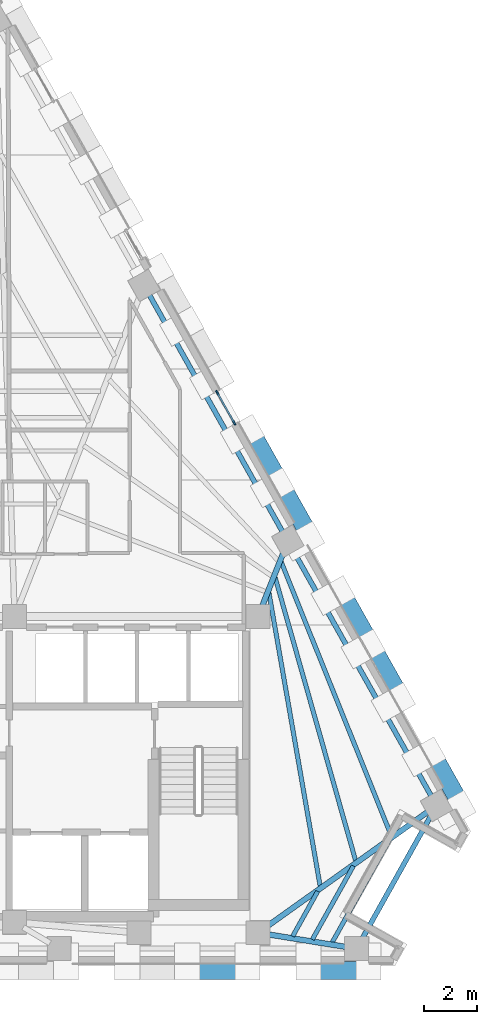
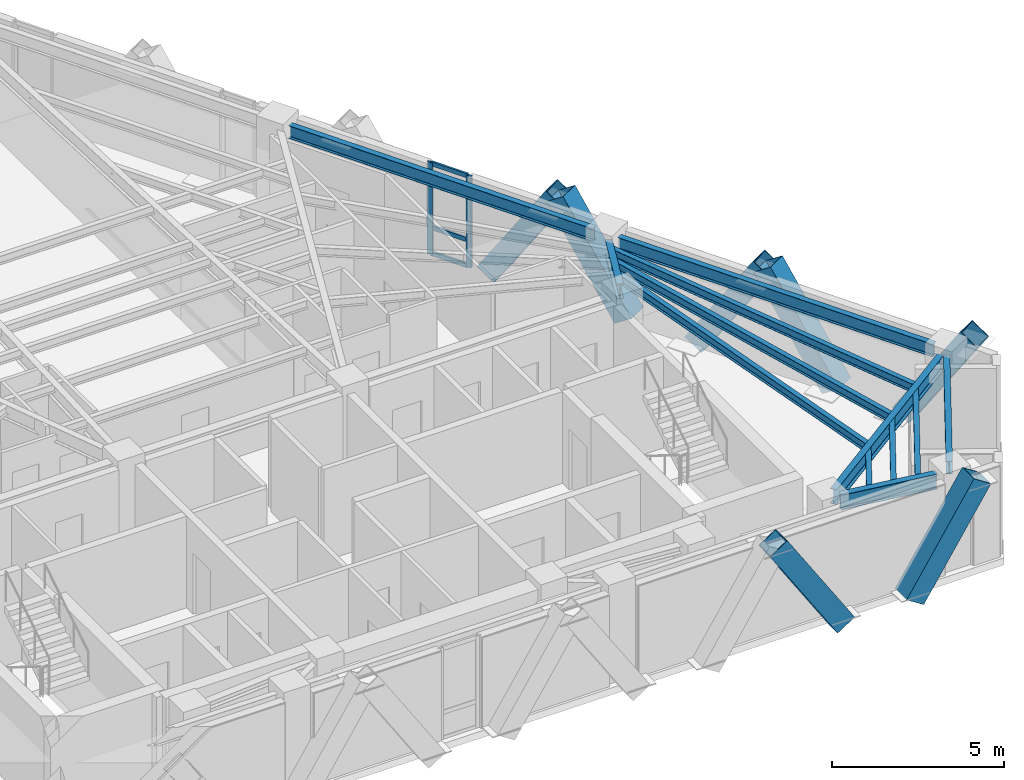
# One storey, part 4 of 12: 12 beams, 12 members, 1 element without a shape of its own.
"""IFC4 building model written with IfcOpenShell, lengths in metres."""

from ifc_helpers import new_model, si_unit, direction, frame, origin, origin_2d, place, context, subcontext, project, spatial, rectangle, hollow_rectangle, i_section, extrude, material, material_profile, profile_set, type_object, element, aggregate, save


model = new_model("IFC4")

# Units and contexts
model_context = context("Model", 3, precision=1e-05, world=origin(), true_north=direction((0.0, 1.0)))
body_context = subcontext(model_context, "Body", "Model", "MODEL_VIEW")
ifc_project = project(units=[si_unit("LENGTHUNIT", "METRE"), si_unit("AREAUNIT", "SQUARE_METRE"), si_unit("VOLUMEUNIT", "CUBIC_METRE"), si_unit("PLANEANGLEUNIT", "RADIAN"), si_unit("MASSUNIT", "GRAM", prefix="KILO")], contexts=[model_context])

# Site, building, storey
site_placement = place(None, origin())
site = spatial("IfcSite", under=ifc_project, at=site_placement, CompositionType="ELEMENT")
building_placement = place(site_placement, origin())
building = spatial("IfcBuilding", under=site, at=building_placement, Name="Quenlor Broadcast Tower", CompositionType="ELEMENT")
storey_placement = place(building_placement, frame((0.0, 0.0, 186.89990234375)))
storey = spatial("IfcBuildingStorey", under=building, at=storey_placement, Name="L51", CompositionType="ELEMENT", Elevation=186.89990234375)

# Curtain wall, members
ifc_material_1 = material(Name="Architectural Terracotta and Low-E Glazing", Category="masonry")
curtain_wall_type = type_object("IfcCurtainWallType", Name="Unitised Terracotta Curtain Wall System Z4", PredefinedType="NOTDEFINED", material=ifc_material_1)
curtain_wall_placement = place(storey_placement, origin())
curtain_wall = element("IfcCurtainWall", 1, at=curtain_wall_placement, inside=storey, type_object=curtain_wall_type, Name="L51 Curtain Wall CW4 (L51-NE-G1)", PredefinedType="NOTDEFINED")
ifc_material_2 = material(Name="Aluminium 6063-T6", Category="aluminium")
ifc_material_profile_1 = material_profile(ifc_material_2, rectangle(XDim=0.068115234375, YDim=0.179931640625, at=origin_2d()))
ifc_profile_set_1 = profile_set([ifc_material_profile_1], Name="Aluminium 6063-T6 MULL68x180")
member_type_1 = type_object("IfcMemberType", Name="CW4 Aluminium Mullion MULL_CW4", PredefinedType="MULLION", material=ifc_profile_set_1)
member_1_placement = place(storey_placement, frame((11.408203125, 3.65966796875, 0.0), z_axis=(0.0, 0.0, 1.0), x_axis=(0.871560008943, 0.490288844266, 0.0)))
member_1 = element("IfcMember", 2, at=member_1_placement, type_object=member_type_1, Name="CW4 mullion 1", PredefinedType="MULLION", context=body_context, shape_type="SweptSolid", body=[
    extrude(rectangle(XDim=0.068115234375, YDim=0.179931640625, at=origin_2d()), origin(), (0.0, 0.0, 1.0), 3.25),
])
member_2_placement = place(storey_placement, frame((12.049560546875, 2.519775390625, 0.0), z_axis=(0.0, 0.0, 1.0), x_axis=(0.871560008943, 0.490288844266, 0.0)))
member_2 = element("IfcMember", 3, at=member_2_placement, type_object=member_type_1, Name="CW4 mullion 2", PredefinedType="MULLION", context=body_context, shape_type="SweptSolid", body=[
    extrude(rectangle(XDim=0.068115234375, YDim=0.179931640625, at=origin_2d()), origin(), (0.0, 0.0, 1.0), 3.25),
])
ifc_material_3 = material(Name="Aluminium 6063-T6", Category="aluminium")
ifc_material_profile_2 = material_profile(ifc_material_3, rectangle(XDim=0.068115234375, YDim=0.14990234375, at=origin_2d()))
ifc_profile_set_2 = profile_set([ifc_material_profile_2], Name="Aluminium 6063-T6 TRAN68x150")
member_type_2 = type_object("IfcMemberType", Name="CW4 Aluminium Transom TRAN_CW4", PredefinedType="USERDEFINED", material=ifc_profile_set_2)
member_3_placement = place(storey_placement, frame((11.425048828125, 3.630126953125, 0.0341796875), z_axis=(0.490233197009, -0.871591310506, 0.0), x_axis=(0.871591310506, 0.490233197009, 0.0)))
member_3 = element("IfcMember", 4, at=member_3_placement, type_object=member_type_2, Name="CW4 transom 1.1", ObjectType="TRANSOM", PredefinedType="USERDEFINED", context=body_context, shape_type="SweptSolid", body=[
    extrude(rectangle(XDim=0.068115234375, YDim=0.14990234375, at=origin_2d()), origin(), (0.0, 0.0, 1.0), 1.239990234375),
])
member_4_placement = place(storey_placement, frame((11.425048828125, 3.630126953125, 0.9501953125), z_axis=(0.490233197009, -0.871591310506, 0.0), x_axis=(0.871591310506, 0.490233197009, 0.0)))
member_4 = element("IfcMember", 5, at=member_4_placement, type_object=member_type_2, Name="CW4 transom 1.2", ObjectType="TRANSOM", PredefinedType="USERDEFINED", context=body_context, shape_type="SweptSolid", body=[
    extrude(rectangle(XDim=0.068115234375, YDim=0.14990234375, at=origin_2d()), origin(), (0.0, 0.0, 1.0), 1.239990234375),
])
member_5_placement = place(storey_placement, frame((11.425048828125, 3.630126953125, 3.216064453125), z_axis=(0.490233197009, -0.871591310506, 0.0), x_axis=(0.871591310506, 0.490233197009, 0.0)))
member_5 = element("IfcMember", 6, at=member_5_placement, type_object=member_type_2, Name="CW4 transom 1.3", ObjectType="TRANSOM", PredefinedType="USERDEFINED", context=body_context, shape_type="SweptSolid", body=[
    extrude(rectangle(XDim=0.068115234375, YDim=0.14990234375, at=origin_2d()), origin(), (0.0, 0.0, 1.0), 1.239990234375),
])
aggregate(curtain_wall, [member_1, member_2, member_3, member_4, member_5])

# Members
ifc_material_4 = material(Name="Steel S355", Category="steel")
ifc_material_profile_3 = material_profile(ifc_material_4, hollow_rectangle(XDim=0.679931640625, YDim=0.679931640625, WallThickness=0.02490234375, at=origin_2d()))
ifc_profile_set_3 = profile_set([ifc_material_profile_3], Name="Steel S355 RHS680x680x25")
member_type_3 = type_object("IfcMemberType", Name="Perimeter Diagonal Lattice Brace Z3-Z4 Steel S355 RHS680x25", PredefinedType="BRACE", material=ifc_profile_set_3)
for number, where, z_axis, x_axis, name in (
    (7, (12.54541015625, -18.169921875, -0.119873046875), (-0.541794306908, 0.0, 0.840511111766), (0.0, -1.0, 0.0), "L51 Perimeter Diamond Lattice S-C1S"),
    (8, (14.856201171875, -18.169921875, -0.119873046875), (0.541794306908, 0.0, 0.840511111766), (0.0, 1.0, 0.0), "L51 Perimeter Diamond Lattice S-C1B"),
):
    element("IfcMember", number, at=place(storey_placement, frame(where, z_axis=z_axis, x_axis=x_axis)), inside=storey, type_object=member_type_3, Name=name, PredefinedType="BRACE", context=body_context, shape_type="SweptSolid", body=[
        extrude(hollow_rectangle(XDim=0.679931640625, YDim=0.679931640625, WallThickness=0.02490234375, at=origin_2d()), origin(), (0.0, 0.0, 1.0), 4.1640625),
    ])
for number, where, z_axis, x_axis, name in (
    (9, (12.651611328125, 2.255126953125, -0.119873046875), (0.269547055694, -0.479136497832, 0.835327840559), (0.871550060774, 0.49030652817, 0.0), "L51 Perimeter Diamond Lattice NE-C3S"),
    (10, (16.08056640625, -3.841064453125, -0.119873046875), (0.269547055694, -0.479136497832, 0.835327840559), (0.871550060774, 0.49030652817, 0.0), "L51 Perimeter Diamond Lattice NE-C4S"),
    (11, (14.923828125, -1.78466796875, -0.119873046875), (-0.269485495908, 0.479188912076, 0.835317636614), (-0.871620820774, -0.490180726664, 0.0), "L51 Perimeter Diamond Lattice NE-C4B"),
    (12, (19.509765625, -9.937255859375, -0.119873046875), (0.269547055694, -0.479136497832, 0.835327840559), (0.871550060774, 0.49030652817, 0.0), "L51 Perimeter Diamond Lattice NE-C5S"),
):
    element("IfcMember", number, at=place(storey_placement, frame(where, z_axis=z_axis, x_axis=x_axis)), inside=storey, type_object=member_type_3, Name=name, PredefinedType="BRACE", context=body_context, shape_type="SweptSolid", body=[
        extrude(hollow_rectangle(XDim=0.679931640625, YDim=0.679931640625, WallThickness=0.02490234375, at=origin_2d()), origin(), (0.0, 0.0, 1.0), 4.18994140625),
    ])
member_6_placement = place(storey_placement, frame((18.35302734375, -7.880859375, -0.119873046875), z_axis=(-0.269539530269, 0.479181387144, 0.835304519224), x_axis=(-0.871575537125, -0.490261239633, 0.0)))
element("IfcMember", 13, at=member_6_placement, inside=storey, type_object=member_type_3, Name="L51 Perimeter Diamond Lattice NE-C5B", PredefinedType="BRACE", context=body_context, shape_type="SweptSolid", body=[
    extrude(hollow_rectangle(XDim=0.679931640625, YDim=0.679931640625, WallThickness=0.02490234375, at=origin_2d()), origin(), (0.0, 0.0, 1.0), 4.190185546875),
])

# Beams
ifc_material_5 = material(Name="Steel S355", Category="steel")
ifc_material_profile_4 = material_profile(ifc_material_5, i_section(OverallWidth=0.18994140625, OverallDepth=0.453857421875, WebThickness=0.008544921875, FlangeThickness=0.0126953125, FilletRadius=0.011474609375, at=origin_2d()))
ifc_profile_set_4 = profile_set([ifc_material_profile_4], Name="Steel S355 460UB67.1")
beam_type_1 = type_object("IfcBeamType", Name="Perimeter Spandrel Beam Z4 Steel S355 460UB67.1", PredefinedType="SPANDREL", material=ifc_profile_set_4)
beam_1_placement = place(storey_placement, frame((16.875732421875, -16.991943359375, 3.023193359375), z_axis=(0.487647250206, 0.8730407547, 0.0), x_axis=(-0.8730407547, 0.487647250206, 0.0)))
element("IfcBeam", 14, at=beam_1_placement, inside=storey, type_object=beam_type_1, Name="L51 Spandrel Beam S4-NE1", PredefinedType="SPANDREL", context=body_context, shape_type="SweptSolid", body=[
    extrude(i_section(OverallWidth=0.18994140625, OverallDepth=0.453857421875, WebThickness=0.008544921875, FlangeThickness=0.0126953125, FilletRadius=0.011474609375, at=origin_2d()), origin(), (0.0, 0.0, 1.0), 5.37451171875),
])
beam_2_placement = place(storey_placement, frame((19.49560546875, -11.58447265625, 3.023193359375), z_axis=(-0.490272131974, 0.871569410093, 0.0), x_axis=(-0.871569410093, -0.490272131974, 0.0)))
element("IfcBeam", 15, at=beam_2_placement, inside=storey, type_object=beam_type_1, Name="L51 Spandrel Beam NE1-NE2", PredefinedType="SPANDREL", context=body_context, shape_type="SweptSolid", body=[
    extrude(i_section(OverallWidth=0.18994140625, OverallDepth=0.453857421875, WebThickness=0.008544921875, FlangeThickness=0.0126953125, FilletRadius=0.011474609375, at=origin_2d()), origin(), (0.0, 0.0, 1.0), 10.6416015625),
])
beam_3_placement = place(storey_placement, frame((13.87646484375, -1.594970703125, 3.023193359375), z_axis=(-0.490263496537, 0.871574267612, 0.0), x_axis=(-0.871574267612, -0.490263496537, 0.0)))
element("IfcBeam", 16, at=beam_3_placement, inside=storey, type_object=beam_type_1, Name="L51 Spandrel Beam NE2-NE3", PredefinedType="SPANDREL", context=body_context, shape_type="SweptSolid", body=[
    extrude(i_section(OverallWidth=0.18994140625, OverallDepth=0.453857421875, WebThickness=0.008544921875, FlangeThickness=0.0126953125, FilletRadius=0.011474609375, at=origin_2d()), origin(), (0.0, 0.0, 1.0), 10.271728515625),
])
ifc_material_6 = material(Name="Steel S355", Category="steel")
ifc_material_profile_5 = material_profile(ifc_material_6, i_section(OverallWidth=0.166015625, OverallDepth=0.30712890625, WebThickness=0.006591796875, FlangeThickness=0.01171875, FilletRadius=0.011474609375, at=origin_2d()))
ifc_profile_set_5 = profile_set([ifc_material_profile_5], Name="Steel S355 310UB46.2")
beam_type_2 = type_object("IfcBeamType", Name="Tower Composite Joist Z4-Z5 Steel S355 310UB46.2", PredefinedType="JOIST", material=ifc_profile_set_5)
beam_4_placement = place(storey_placement, frame((15.297607421875, -14.98828125, 3.096435546875), z_axis=(-0.172003691938, 0.985096304916, 0.0), x_axis=(-0.985096304916, -0.172003691938, 0.0)))
element("IfcBeam", 17, at=beam_4_placement, inside=storey, type_object=beam_type_2, Name="L51 Secondary Composite Joist 16", PredefinedType="JOIST", context=body_context, shape_type="SweptSolid", body=[
    extrude(i_section(OverallWidth=0.166015625, OverallDepth=0.30712890625, WebThickness=0.006591796875, FlangeThickness=0.01171875, FilletRadius=0.011474609375, at=origin_2d()), origin(), (0.0, 0.0, 1.0), 11.274169921875),
])
beam_5_placement = place(storey_placement, frame((16.638671875, -14.028564453125, 3.096435546875), z_axis=(-0.273447576454, 0.961886907558, 0.0), x_axis=(-0.961886907558, -0.273447576454, 0.0)))
element("IfcBeam", 18, at=beam_5_placement, inside=storey, type_object=beam_type_2, Name="L51 Secondary Composite Joist 17", PredefinedType="JOIST", context=body_context, shape_type="SweptSolid", body=[
    extrude(i_section(OverallWidth=0.166015625, OverallDepth=0.30712890625, WebThickness=0.006591796875, FlangeThickness=0.01171875, FilletRadius=0.011474609375, at=origin_2d()), origin(), (0.0, 0.0, 1.0), 11.142333984375),
])
beam_6_placement = place(storey_placement, frame((17.97998046875, -13.069580078125, 3.096435546875), z_axis=(-0.373094895103, 0.927793187757, 0.0), x_axis=(-0.927793187757, -0.373094895103, 0.0)))
element("IfcBeam", 19, at=beam_6_placement, inside=storey, type_object=beam_type_2, Name="L51 Secondary Composite Joist 18", PredefinedType="JOIST", context=body_context, shape_type="SweptSolid", body=[
    extrude(i_section(OverallWidth=0.166015625, OverallDepth=0.30712890625, WebThickness=0.006591796875, FlangeThickness=0.01171875, FilletRadius=0.011474609375, at=origin_2d()), origin(), (0.0, 0.0, 1.0), 11.13525390625),
])
beam_7_placement = place(storey_placement, frame((14.255859375, -16.88427734375, 3.096435546875), z_axis=(0.487590799665, 0.873072283423, 0.0), x_axis=(-0.873072283423, 0.487590799665, 0.0)))
element("IfcBeam", 20, at=beam_7_placement, inside=storey, type_object=beam_type_2, Name="L51 Secondary Composite Joist 22", PredefinedType="JOIST", context=body_context, shape_type="SweptSolid", body=[
    extrude(i_section(OverallWidth=0.166015625, OverallDepth=0.30712890625, WebThickness=0.006591796875, FlangeThickness=0.01171875, FilletRadius=0.011474609375, at=origin_2d()), origin(), (0.0, 0.0, 1.0), 1.9462890625),
])
beam_8_placement = place(storey_placement, frame((15.0009765625, -17.004150390625, 3.096435546875), z_axis=(0.487646119388, 0.87304138633, 0.0), x_axis=(-0.87304138633, 0.487646119388, 0.0)))
element("IfcBeam", 21, at=beam_8_placement, inside=storey, type_object=beam_type_2, Name="L51 Secondary Composite Joist 23", PredefinedType="JOIST", context=body_context, shape_type="SweptSolid", body=[
    extrude(i_section(OverallWidth=0.166015625, OverallDepth=0.30712890625, WebThickness=0.006591796875, FlangeThickness=0.01171875, FilletRadius=0.011474609375, at=origin_2d()), origin(), (0.0, 0.0, 1.0), 3.18505859375),
])
beam_9_placement = place(storey_placement, frame((15.74609375, -17.124267578125, 3.096435546875), z_axis=(0.487604899573, 0.873064408799, 0.0), x_axis=(-0.873064408799, 0.487604899573, 0.0)))
element("IfcBeam", 22, at=beam_9_placement, inside=storey, type_object=beam_type_2, Name="L51 Secondary Composite Joist 24", PredefinedType="JOIST", context=body_context, shape_type="SweptSolid", body=[
    extrude(i_section(OverallWidth=0.166015625, OverallDepth=0.30712890625, WebThickness=0.006591796875, FlangeThickness=0.01171875, FilletRadius=0.011474609375, at=origin_2d()), origin(), (0.0, 0.0, 1.0), 4.424072265625),
])
ifc_material_7 = material(Name="Steel S355", Category="steel")
ifc_material_profile_6 = material_profile(ifc_material_7, i_section(OverallWidth=0.208984375, OverallDepth=0.5283203125, WebThickness=0.009521484375, FlangeThickness=0.01318359375, FilletRadius=0.013916015625, at=origin_2d()))
ifc_profile_set_6 = profile_set([ifc_material_profile_6], Name="Steel S355 530UB82.0")
beam_type_3 = type_object("IfcBeamType", Name="Tower Primary Floor Beam Z4 Steel S355 530UB82.0", PredefinedType="BEAM", material=ifc_profile_set_6)
beam_10_placement = place(storey_placement, frame((16.27099609375, -17.284912109375, 2.986083984375), z_axis=(-0.987268490875, 0.159062650942, 0.0), x_axis=(-0.159062650942, -0.987268490875, 0.0)))
element("IfcBeam", 23, at=beam_10_placement, inside=storey, type_object=beam_type_3, Name="L51 Primary Radial Beam S4", PredefinedType="BEAM", context=body_context, shape_type="SweptSolid", body=[
    extrude(i_section(OverallWidth=0.208984375, OverallDepth=0.5283203125, WebThickness=0.009521484375, FlangeThickness=0.01318359375, FilletRadius=0.013916015625, at=origin_2d()), origin(), (0.0, 0.0, 1.0), 2.98388671875),
])
beam_11_placement = place(storey_placement, frame((19.362548828125, -12.1796875, 2.986083984375), z_axis=(-0.814329531787, -0.580402802938, 0.0), x_axis=(0.580402802938, -0.814329531787, 0.0)))
element("IfcBeam", 24, at=beam_11_placement, inside=storey, type_object=beam_type_3, Name="L51 Primary Radial Beam NE1", PredefinedType="BEAM", context=body_context, shape_type="SweptSolid", body=[
    extrude(i_section(OverallWidth=0.208984375, OverallDepth=0.5283203125, WebThickness=0.009521484375, FlangeThickness=0.01318359375, FilletRadius=0.013916015625, at=origin_2d()), origin(), (0.0, 0.0, 1.0), 7.49462890625),
])
beam_12_placement = place(storey_placement, frame((13.926513671875, -2.33349609375, 2.986083984375), z_axis=(-0.368110359783, -0.92978210513, 0.0), x_axis=(0.92978210513, -0.368110359783, 0.0)))
element("IfcBeam", 25, at=beam_12_placement, inside=storey, type_object=beam_type_3, Name="L51 Primary Radial Beam NE2", PredefinedType="BEAM", context=body_context, shape_type="SweptSolid", body=[
    extrude(i_section(OverallWidth=0.208984375, OverallDepth=0.5283203125, WebThickness=0.009521484375, FlangeThickness=0.01318359375, FilletRadius=0.013916015625, at=origin_2d()), origin(), (0.0, 0.0, 1.0), 2.27294921875),
])

save(model, "model.ifc")
